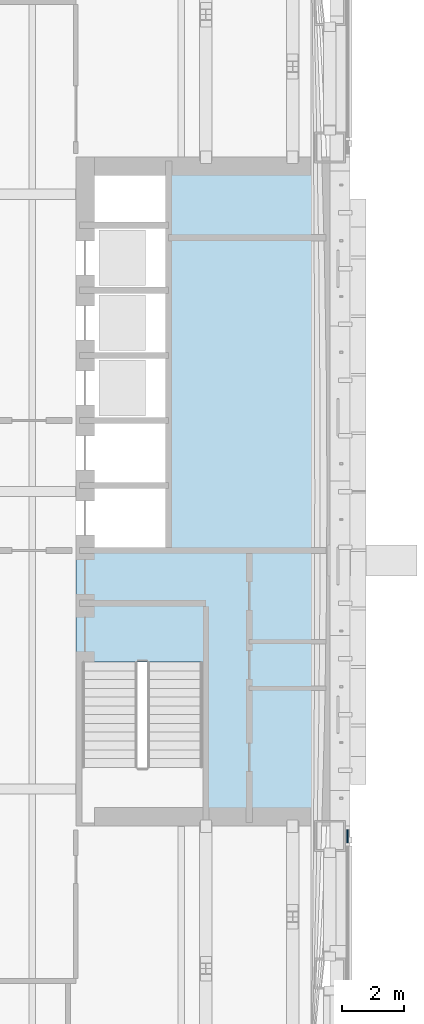
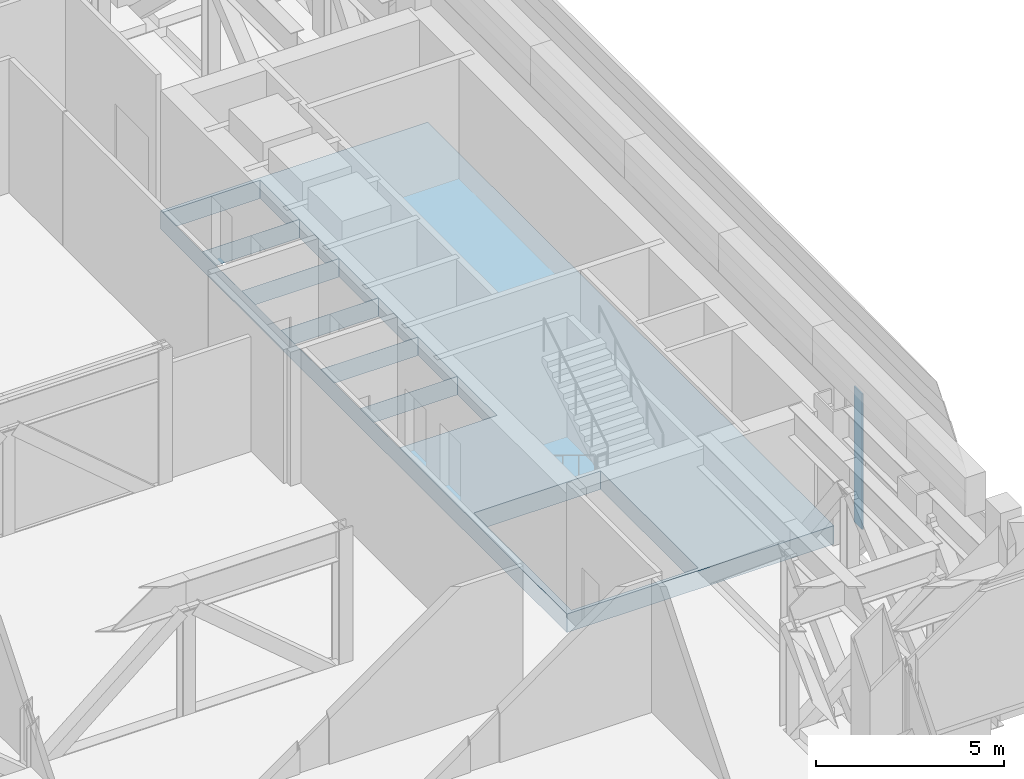
# One storey, part 14 of 39: 1 plate, 1 slab, 1 element without a shape of its own.
"""IFC4 building model written with IfcOpenShell, lengths in metres."""

from ifc_helpers import new_model, si_unit, direction, frame, origin, origin_2d, place, context, subcontext, project, spatial, polyline, rectangle, outline, extrude, material, layer, layer_set, type_object, element, aggregate, save


model = new_model("IFC4")

# Units and contexts
model_context = context("Model", 3, precision=1e-05, world=origin(), true_north=direction((0.0, 1.0)))
body_context = subcontext(model_context, "Body", "Model", "MODEL_VIEW")
ifc_project = project(units=[si_unit("LENGTHUNIT", "METRE"), si_unit("AREAUNIT", "SQUARE_METRE"), si_unit("VOLUMEUNIT", "CUBIC_METRE"), si_unit("PLANEANGLEUNIT", "RADIAN"), si_unit("MASSUNIT", "GRAM", prefix="KILO")], contexts=[model_context])

# Site, building, storey
site_placement = place(None, origin())
site = spatial("IfcSite", under=ifc_project, at=site_placement, CompositionType="ELEMENT")
building_placement = place(site_placement, origin())
building = spatial("IfcBuilding", under=site, at=building_placement, Name="Cobrizo Arcos Hotel Tower", CompositionType="ELEMENT")
storey_placement = place(building_placement, frame((0.0, 0.0, 84.5)))
storey = spatial("IfcBuildingStorey", under=building, at=storey_placement, Name="L20", CompositionType="ELEMENT", Elevation=84.5)

# Curtain wall, plate
ifc_material_1 = material(Name="Aluminium 6063-T6 anodised bronze", Category="aluminium")
curtain_wall_type = type_object("IfcCurtainWallType", Name="CW-D plant louvre wall", PredefinedType="NOTDEFINED", material=ifc_material_1)
curtain_wall_placement = place(storey_placement, origin())
curtain_wall = element("IfcCurtainWall", 1, at=curtain_wall_placement, inside=storey, type_object=curtain_wall_type, Name="CW-D L20 E face", PredefinedType="NOTDEFINED")
ifc_material_2 = material(Name="Aluminium composite panel pale metal", Category="aluminium")
ifc_layer_1 = layer(ifc_material_2, 0.06005859375)
ifc_layer_set_1 = layer_set([ifc_layer_1], Name="CW-D spandrel panel")
plate_type = type_object("IfcPlateType", Name="CW-D spandrel panel", PredefinedType="CURTAIN_PANEL", material=ifc_layer_set_1)
plate_placement = place(storey_placement, frame((24.574951171875, -11.119384765625, 0.0), z_axis=(0.0, 0.0, 1.0), x_axis=(0.0, 1.0, 0.0)))
plate = element("IfcPlate", 2, at=plate_placement, type_object=plate_type, Name="CW-D insulated panel 826", PredefinedType="CURTAIN_PANEL", context=body_context, shape_type="SweptSolid", body=[
    extrude(rectangle(XDim=0.43896484375, YDim=0.0400390625, at=origin_2d()), origin(), (0.0, 0.0, 1.0), 4.39990234375),
])
aggregate(curtain_wall, [plate])

# Slab
ifc_material_3 = material(Name="Concrete f'c 60 MPa", Category="concrete")
ifc_layer_2 = layer(ifc_material_3, 0.60009765625)
ifc_layer_set_2 = layer_set([ifc_layer_2], Name="RC core floor slab 600 f'c 60")
slab_type = type_object("IfcSlabType", Name="RC core floor slab 600 f'c 60", PredefinedType="FLOOR", material=ifc_layer_set_2)
slab_placement = place(storey_placement, frame((0.0, 0.0, -0.60009765625)))
element("IfcSlab", 3, at=slab_placement, inside=storey, type_object=slab_type, Name="Core floor slab CS1, east core, L20", PredefinedType="FLOOR", context=body_context, shape_type="SweptSolid", body=[
    extrude(outline(polyline([(15.800048828125, 10.800048828125), (24.0, 10.800048828125), (24.0, -10.800048828125), (15.800048828125, -10.800048828125), (15.800048828125, 10.800048828125)]), holes=[polyline([(19.89794921875, -10.697998046875), (19.89794921875, -5.501953125), (16.001953125, -5.501953125), (16.001953125, -10.697998046875), (19.89794921875, -10.697998046875)]), polyline([(15.802001953125, 0.197998046875), (15.802001953125, -1.89794921875), (18.798095703125, -1.89794921875), (18.798095703125, 0.197998046875), (15.802001953125, 0.197998046875)]), polyline([(18.798095703125, 2.298095703125), (15.802001953125, 2.298095703125), (15.802001953125, 0.201904296875), (18.798095703125, 0.201904296875), (18.798095703125, 2.298095703125)]), polyline([(18.798095703125, 4.39794921875), (15.802001953125, 4.39794921875), (15.802001953125, 2.302001953125), (18.798095703125, 2.302001953125), (18.798095703125, 4.39794921875)]), polyline([(15.802001953125, 6.498046875), (15.802001953125, 4.402099609375), (18.798095703125, 4.402099609375), (18.798095703125, 6.498046875), (15.802001953125, 6.498046875)]), polyline([(18.798095703125, 8.597900390625), (15.802001953125, 8.597900390625), (15.802001953125, 6.501953125), (18.798095703125, 6.501953125), (18.798095703125, 8.597900390625)]), polyline([(18.798095703125, 10.697998046875), (15.802001953125, 10.697998046875), (15.802001953125, 8.60205078125), (18.798095703125, 8.60205078125), (18.798095703125, 10.697998046875)])]), origin(), (0.0, 0.0, 1.0), 0.60009765625),
])

save(model, "model.ifc")
